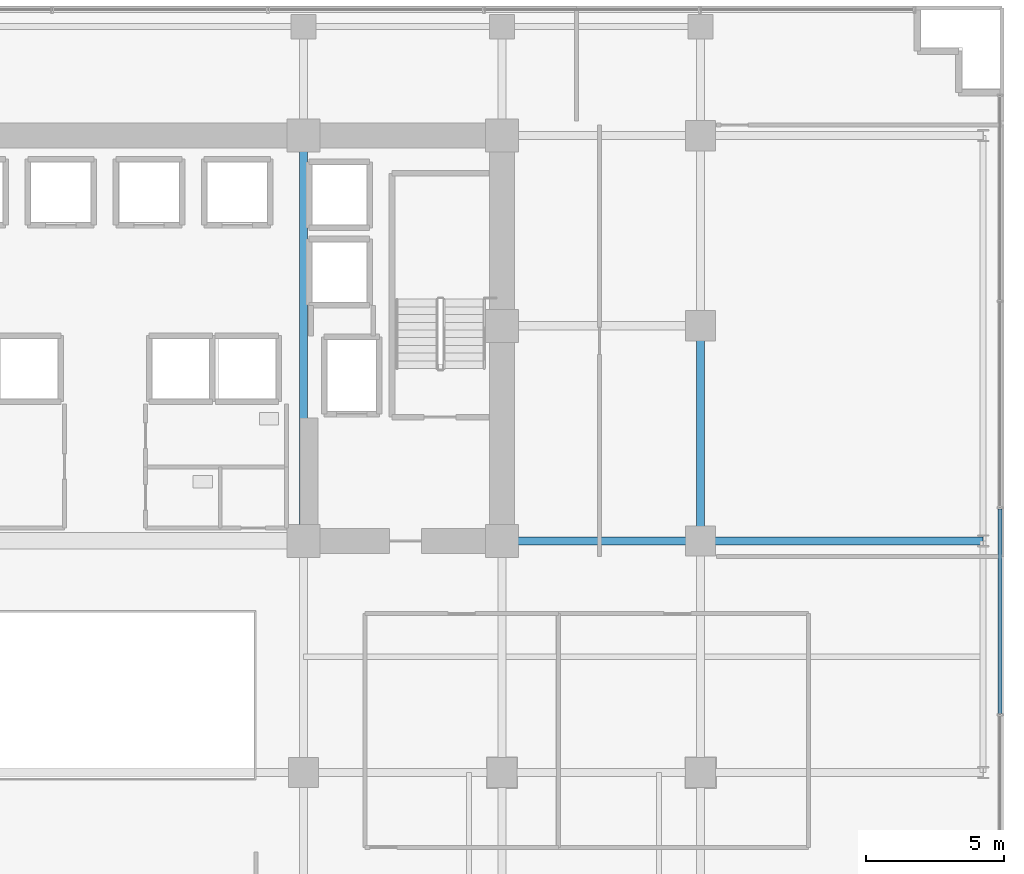
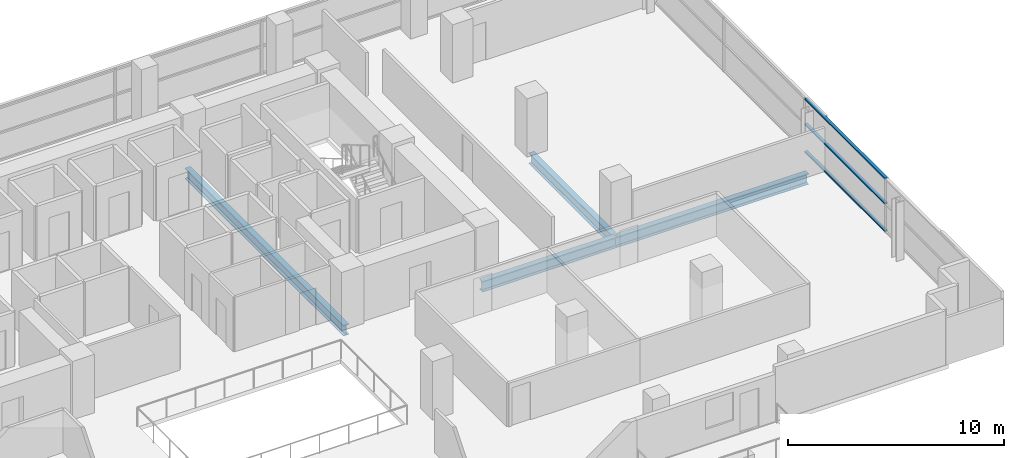
# One storey, part 14 of 31: 4 beams, 3 members, 1 element without a shape of its own.
"""IFC4 building model written with IfcOpenShell, lengths in metres."""

import ifcopenshell
import ifcopenshell.guid

model = None  # the IFC model being written
_history = None  # IfcOwnerHistory: only IFC2X3 demands one
_inside = {}  # id of a spatial element -> (the spatial element, [elements in it])
_under = {}  # id of a project, library or spatial element -> (it, [spatial elements below it])
_declared = {}  # id of a project -> (the project, [libraries it declares])
_typed = {}  # id of a type object -> (the type object, [elements of that type])
_made_of = {}  # id of a material, layer set ... -> (it, [elements and type objects made of it])


def new_model(schema):
    """Start an empty IFC model of exactly this schema.

    Asked for "IFC4X3", IfcOpenShell would pick the latest addendum, in which some entities
    have other attributes; the version numbers below select the first issue.
    IFC2X3 requires an IfcOwnerHistory on every rooted entity: one is made here for all.
    """
    global model, _history
    if schema == "IFC4X3":
        model = ifcopenshell.file(schema_version=(4, 3, 0, 0))
    else:
        model = ifcopenshell.file(schema=schema)
    _inside.clear()
    _under.clear()
    _declared.clear()
    _typed.clear()
    _made_of.clear()
    _history = None
    if model.schema == "IFC2X3":
        org = make("IfcOrganization", Name="unknown")
        user = make(
            "IfcPersonAndOrganization",
            ThePerson=make("IfcPerson", FamilyName="unknown"),
            TheOrganization=org,
        )
        app = make(
            "IfcApplication",
            ApplicationDeveloper=org,
            Version="unknown",
            ApplicationFullName="unknown",
            ApplicationIdentifier="unknown",
        )
        _history = make(
            "IfcOwnerHistory",
            OwningUser=user,
            OwningApplication=app,
            ChangeAction="ADDED",
            CreationDate=0,
        )
    return model


def make(cls, **values):
    """One entity of the class cls with the attributes given. An attribute that is None is left unset."""
    return model.create_entity(
        cls, **{name: value for name, value in values.items() if value is not None}
    )


def rooted(cls, **values):
    """An entity with a GlobalId (a new one), such as an element, a storey or a relation."""
    return make(cls, GlobalId=ifcopenshell.guid.new(), OwnerHistory=_history, **values)


def si_unit(unit_type, name, prefix=None):
    """IfcSIUnit, for example si_unit("LENGTHUNIT", "METRE", prefix="MILLI")."""
    return make("IfcSIUnit", UnitType=unit_type, Prefix=prefix, Name=name)


def assignment(units):
    """IfcUnitAssignment: the units of a project."""
    return None if units is None else make("IfcUnitAssignment", Units=units)


def point(xyz):
    """IfcCartesianPoint."""
    return None if xyz is None else make("IfcCartesianPoint", Coordinates=xyz)


def direction(xyz):
    """IfcDirection."""
    return None if xyz is None else make("IfcDirection", DirectionRatios=xyz)


def frame(location, z_axis=None, x_axis=None):
    """IfcAxis2Placement3D, a coordinate frame: its origin and axes. An axis left out is left unset."""
    return make(
        "IfcAxis2Placement3D",
        Location=point(location),
        Axis=direction(z_axis),
        RefDirection=direction(x_axis),
    )


def frame_2d(location, x_axis=None):
    """IfcAxis2Placement2D, a coordinate frame in the plane: its origin and x axis."""
    return make(
        "IfcAxis2Placement2D", Location=point(location), RefDirection=direction(x_axis)
    )


def origin():
    """The frame at (0, 0, 0) with its axes left unset."""
    return frame((0.0, 0.0, 0.0))


def origin_2d():
    """The frame at (0, 0) in the plane with its x axis left unset."""
    return frame_2d((0.0, 0.0))


def place(relative_to, where):
    """IfcLocalPlacement: puts the frame where relative to a parent placement (None: the world)."""
    return make(
        "IfcLocalPlacement", PlacementRelTo=relative_to, RelativePlacement=where
    )


def context(
    kind, dimensions, precision=None, world=None, true_north=None, identifier=None
):
    """IfcGeometricRepresentationContext, for example the 3D "Model" context."""
    return make(
        "IfcGeometricRepresentationContext",
        ContextIdentifier=identifier,
        ContextType=kind,
        CoordinateSpaceDimension=dimensions,
        Precision=precision,
        WorldCoordinateSystem=world,
        TrueNorth=true_north,
    )


def subcontext(parent, identifier, kind, view, scale=None):
    """IfcGeometricRepresentationSubContext, for example "Body" below "Model"."""
    return make(
        "IfcGeometricRepresentationSubContext",
        ContextIdentifier=identifier,
        ContextType=kind,
        ParentContext=parent,
        TargetScale=scale,
        TargetView=view,
    )


def project(units=None, contexts=None):
    """IfcProject with its units and contexts."""
    return rooted(
        "IfcProject",
        Name="project",
        RepresentationContexts=contexts,
        UnitsInContext=assignment(units),
    )


def spatial(cls, under=None, at=None, **own):
    """A site, building, storey or space (cls), placed at a placement, below another one or the project."""
    s = rooted(cls, ObjectPlacement=at, **own)
    if under is not None:
        _under.setdefault(under.id(), (under, []))[1].append(s)
    return s


def profile(cls, at=None, kind="AREA", **sizes):
    """A parametric profile (cls). Its sizes go by their IFC names, for example OverallWidth=200.0."""
    return make(cls, ProfileType=kind, Position=at, **sizes)


def hollow_rectangle(**sizes):
    """IfcRectangleHollowProfileDef."""
    return profile("IfcRectangleHollowProfileDef", **sizes)


def i_section(**sizes):
    """IfcIShapeProfileDef."""
    return profile("IfcIShapeProfileDef", **sizes)


def extrude(swept, where, along, depth):
    """IfcExtrudedAreaSolid: the profile swept, set in the frame where, extruded along a direction by depth."""
    return make(
        "IfcExtrudedAreaSolid",
        SweptArea=swept,
        Position=where,
        ExtrudedDirection=direction(along),
        Depth=depth,
    )


def shape(context_of_items, identifier, shape_type, items):
    """IfcShapeRepresentation: the items that make up one representation, for example the "Body"."""
    return make(
        "IfcShapeRepresentation",
        ContextOfItems=context_of_items,
        RepresentationIdentifier=identifier,
        RepresentationType=shape_type,
        Items=items,
    )


def source(mapping_origin, context_of_items, identifier, shape_type, items):
    """IfcRepresentationMap: a shape defined once, which mapped items show again and again."""
    return make(
        "IfcRepresentationMap",
        MappingOrigin=mapping_origin,
        MappedRepresentation=shape(context_of_items, identifier, shape_type, items),
    )


def transform(
    local_origin,
    x_axis=None,
    y_axis=None,
    z_axis=None,
    scale=None,
    scale2=None,
    scale3=None,
    uniform=True,
):
    """IfcCartesianTransformationOperator3D, or its non-uniform kind. x_axis, y_axis, z_axis: its Axis1, 2, 3."""
    if uniform:
        return make(
            "IfcCartesianTransformationOperator3D",
            Axis1=direction(x_axis),
            Axis2=direction(y_axis),
            LocalOrigin=point(local_origin),
            Scale=scale,
            Axis3=direction(z_axis),
        )
    return make(
        "IfcCartesianTransformationOperator3DnonUniform",
        Axis1=direction(x_axis),
        Axis2=direction(y_axis),
        LocalOrigin=point(local_origin),
        Scale=scale,
        Axis3=direction(z_axis),
        Scale2=scale2,
        Scale3=scale3,
    )


def mapped(mapping_source, mapping_target):
    """IfcMappedItem: shows the shape of a source again, moved by a transform."""
    return make(
        "IfcMappedItem", MappingSource=mapping_source, MappingTarget=mapping_target
    )


def material(Name=None, Category=None):
    """IfcMaterial."""
    return make("IfcMaterial", Name=Name, Category=Category)


def layer(
    of_material, thickness, ventilated=None, Name=None, Category=None, Priority=None
):
    """IfcMaterialLayer: one layer of a wall or slab, of a material (None: an air gap)."""
    return make(
        "IfcMaterialLayer",
        Material=of_material,
        LayerThickness=thickness,
        IsVentilated=ventilated,
        Name=Name,
        Category=Category,
        Priority=Priority,
    )


def layer_set(layers, Name=None):
    """IfcMaterialLayerSet."""
    return make("IfcMaterialLayerSet", MaterialLayers=layers, LayerSetName=Name)


def material_profile(
    of_material, cross_section, Name=None, Category=None, Priority=None
):
    """IfcMaterialProfile: a cross section and its material."""
    return make(
        "IfcMaterialProfile",
        Name=Name,
        Material=of_material,
        Profile=cross_section,
        Priority=Priority,
        Category=Category,
    )


def profile_set(profiles, Name=None, composite=None):
    """IfcMaterialProfileSet."""
    return make(
        "IfcMaterialProfileSet",
        Name=Name,
        MaterialProfiles=profiles,
        CompositeProfile=composite,
    )


def made_of(thing, what):
    """Note that an element or type object is made of a material, layer set ...; save() writes the relation."""
    if what is not None:
        _made_of.setdefault(what.id(), (what, []))[1].append(thing)
    return thing


def type_object(cls, material=None, **own):
    """A type object (cls), such as IfcWallType, which elements share."""
    return made_of(rooted(cls, **own), material)


def element(
    cls,
    number,
    at=None,
    inside=None,
    cuts=None,
    type_object=None,
    material=None,
    context=None,
    identifier="Body",
    shape_type=None,
    held_by="IfcProductDefinitionShape",
    body=None,
    shapes=None,
    **own,
):
    """One element of the class cls, such as IfcWall. Its Tag is "e" and its number.

    at: its placement. inside: the storey or other place that contains it. cuts: it is an
    opening in that element (IfcRelVoidsElement). A single representation is given by context,
    identifier, shape_type and body (its items); several are given by shapes. held_by: the class
    of the entity that holds the representations. save() writes the other relations.
    """
    e = rooted(cls, Tag="e%d" % number, ObjectPlacement=at, **own)
    if body is not None:
        shapes = [shape(context, identifier, shape_type, body)]
    if shapes is not None:
        e.Representation = make(held_by, Representations=shapes)
    if inside is not None:
        _inside.setdefault(inside.id(), (inside, []))[1].append(e)
    if cuts is not None:
        rooted(
            "IfcRelVoidsElement", RelatingBuildingElement=cuts, RelatedOpeningElement=e
        )
    if type_object is not None:
        _typed.setdefault(type_object.id(), (type_object, []))[1].append(e)
    return made_of(e, material)


def aggregate(whole, parts):
    """IfcRelAggregates: a whole, such as a stair, and the parts it consists of."""
    return rooted("IfcRelAggregates", RelatingObject=whole, RelatedObjects=parts)


def save(model, path):
    """Write the relations noted so far, then the file.

    IfcRelAggregates (storeys below a building ...), IfcRelContainedInSpatialStructure (elements
    in a storey), IfcRelDefinesByType, IfcRelAssociatesMaterial and IfcRelDeclares: one each for
    every whole, place, type object, material and project.
    """
    for whole, parts in _under.values():
        aggregate(whole, parts)
    for where, things in _inside.values():
        rooted(
            "IfcRelContainedInSpatialStructure",
            RelatedElements=things,
            RelatingStructure=where,
        )
    for kind, things in _typed.values():
        rooted("IfcRelDefinesByType", RelatedObjects=things, RelatingType=kind)
    for what, things in _made_of.values():
        rooted("IfcRelAssociatesMaterial", RelatedObjects=things, RelatingMaterial=what)
    for by, libraries in _declared.values():
        rooted("IfcRelDeclares", RelatingContext=by, RelatedDefinitions=libraries)
    model.write(path)


model = new_model("IFC4")

# Units and contexts
model_context = context("Model", 3, precision=1e-05, world=origin(), true_north=direction((0.0, 1.0)))
body_context = subcontext(model_context, "Body", "Model", "MODEL_VIEW")
ifc_project = project(units=[si_unit("LENGTHUNIT", "METRE"), si_unit("AREAUNIT", "SQUARE_METRE"), si_unit("VOLUMEUNIT", "CUBIC_METRE"), si_unit("PLANEANGLEUNIT", "RADIAN"), si_unit("MASSUNIT", "GRAM", prefix="KILO")], contexts=[model_context])

# Site, building, storey
site_placement = place(None, origin())
site = spatial("IfcSite", under=ifc_project, at=site_placement, CompositionType="ELEMENT")
building_placement = place(site_placement, origin())
building = spatial("IfcBuilding", under=site, at=building_placement, Name="Zarnakvel Exchange Tower", CompositionType="ELEMENT")
storey_placement = place(building_placement, frame((0.0, 0.0, 60.39990234375)))
storey = spatial("IfcBuildingStorey", under=building, at=storey_placement, Name="L16", CompositionType="ELEMENT", Elevation=60.39990234375)

# Beams
ifc_material_1 = material(Name="Steel S355", Category="steel")
ifc_material_profile_1 = material_profile(ifc_material_1, i_section(OverallWidth=0.300048828125, OverallDepth=0.60009765625, WebThickness=0.015380859375, FlangeThickness=0.030029296875, FilletRadius=0.027099609375, at=origin_2d()))
ifc_profile_set_1 = profile_set([ifc_material_profile_1], Name="Steel S355")
beam_type = type_object("IfcBeamType", Name="G-04", PredefinedType="BEAM", material=ifc_profile_set_1)
beam_1_placement = place(storey_placement, frame((14.39990234375, -1.199951171875, -0.52490234375), z_axis=(1.0, 0.0, 0.0), x_axis=(0.0, 1.0, 0.0)))
element("IfcBeam", 1, at=beam_1_placement, inside=storey, type_object=beam_type, Name="L16 Tower E-W Frame Beam", PredefinedType="BEAM", context=body_context, shape_type="SweptSolid", body=[
    extrude(i_section(OverallWidth=0.300048828125, OverallDepth=0.60009765625, WebThickness=0.015380859375, FlangeThickness=0.030029296875, FilletRadius=0.027099609375, at=origin_2d()), origin(), (0.0, 0.0, 1.0), 7.2001953125),
])
beam_2_placement = place(storey_placement, frame((21.60009765625, -1.199951171875, -0.52490234375), z_axis=(1.0, 0.0, 0.0), x_axis=(0.0, 1.0, 0.0)))
element("IfcBeam", 2, at=beam_2_placement, inside=storey, type_object=beam_type, Name="L16 Tower E-W Frame Beam", PredefinedType="BEAM", context=body_context, shape_type="SweptSolid", body=[
    extrude(i_section(OverallWidth=0.300048828125, OverallDepth=0.60009765625, WebThickness=0.015380859375, FlangeThickness=0.030029296875, FilletRadius=0.027099609375, at=origin_2d()), origin(), (0.0, 0.0, 1.0), 10.25),
])
beam_3_placement = place(storey_placement, frame((7.199951171875, -1.199951171875, -0.52490234375), z_axis=(0.0, 1.0, 0.0), x_axis=(-1.0, 0.0, 0.0)))
element("IfcBeam", 3, at=beam_3_placement, inside=storey, type_object=beam_type, Name="L16 Tower N-S Frame Beam", PredefinedType="BEAM", context=body_context, shape_type="SweptSolid", body=[
    extrude(i_section(OverallWidth=0.300048828125, OverallDepth=0.60009765625, WebThickness=0.015380859375, FlangeThickness=0.030029296875, FilletRadius=0.027099609375, at=origin_2d()), origin(), (0.0, 0.0, 1.0), 14.699951171875),
])
beam_4_placement = place(storey_placement, frame((21.60009765625, -1.199951171875, -0.52490234375), z_axis=(0.0, 1.0, 0.0), x_axis=(-1.0, 0.0, 0.0)))
element("IfcBeam", 4, at=beam_4_placement, inside=storey, type_object=beam_type, Name="L16 Tower N-S Frame Beam", PredefinedType="BEAM", context=body_context, shape_type="SweptSolid", body=[
    extrude(i_section(OverallWidth=0.300048828125, OverallDepth=0.60009765625, WebThickness=0.015380859375, FlangeThickness=0.030029296875, FilletRadius=0.027099609375, at=origin_2d()), origin(), (0.0, 0.0, 1.0), 7.800048828125),
])

# Curtain wall, members
ifc_material_2 = material(Name="Architectural Bronze Anodised Aluminium", Category="aluminium")
ifc_layer = layer(ifc_material_2, 0.199951171875)
ifc_layer_set = layer_set([ifc_layer], Name="Architectural Bronze Anodised Aluminium")
curtain_wall_type = type_object("IfcCurtainWallType", Name="CW-04", PredefinedType="NOTDEFINED", material=ifc_layer_set)
curtain_wall_placement = place(storey_placement, origin())
curtain_wall = element("IfcCurtainWall", 5, at=curtain_wall_placement, inside=storey, type_object=curtain_wall_type, Name="L16 Curtain Wall CW-L16-E1 (CW-04)", PredefinedType="NOTDEFINED")
ifc_material_profile_2 = material_profile(ifc_material_2, hollow_rectangle(XDim=0.159912109375, YDim=0.074951171875, WallThickness=0.00390625, at=origin_2d()))
ifc_profile_set_2 = profile_set([ifc_material_profile_2], Name="Architectural Bronze Anodised Aluminium")
member_type = type_object("IfcMemberType", Name="CWT-04", PredefinedType="USERDEFINED", material=ifc_profile_set_2)
shared_shape = source(origin(), body_context, "Body", "SweptSolid", [
    extrude(hollow_rectangle(XDim=0.159912109375, YDim=0.074951171875, WallThickness=0.00390625, at=origin_2d()), origin(), (0.0, 0.0, 1.0), 7.4248046875),
])
member_1_placement = place(storey_placement, frame((32.4599609375, -7.46240234375, 0.03759765625), z_axis=(0.0, 1.0, 0.0), x_axis=(-1.0, 0.0, 0.0)))
member_1 = element("IfcMember", 6, at=member_1_placement, type_object=member_type, Name="CW-04 transom 2.1", ObjectType="TRANSOM", PredefinedType="USERDEFINED", context=body_context, shape_type="MappedRepresentation", body=[
    mapped(shared_shape, transform((0.0, 0.0, 0.0), x_axis=(1.0, 0.0, 0.0), y_axis=(0.0, 1.0, 0.0), z_axis=(0.0, 0.0, 1.0), scale=1.0)),
])
member_2_placement = place(storey_placement, frame((32.4599609375, -7.46240234375, 1.588623046875), z_axis=(0.0, 1.0, 0.0), x_axis=(-1.0, 0.0, 0.0)))
member_2 = element("IfcMember", 7, at=member_2_placement, type_object=member_type, Name="CW-04 transom 2.2", ObjectType="TRANSOM", PredefinedType="USERDEFINED", context=body_context, shape_type="MappedRepresentation", body=[
    mapped(shared_shape, transform((0.0, 0.0, 0.0), x_axis=(1.0, 0.0, 0.0), y_axis=(0.0, 1.0, 0.0), z_axis=(0.0, 0.0, 1.0), scale=1.0)),
])
member_3_placement = place(storey_placement, frame((32.4599609375, -7.46240234375, 3.017578125), z_axis=(0.0, 1.0, 0.0), x_axis=(-1.0, 0.0, 0.0)))
member_3 = element("IfcMember", 8, at=member_3_placement, type_object=member_type, Name="CW-04 transom 2.3", ObjectType="TRANSOM", PredefinedType="USERDEFINED", context=body_context, shape_type="MappedRepresentation", body=[
    mapped(shared_shape, transform((0.0, 0.0, 0.0), x_axis=(1.0, 0.0, 0.0), y_axis=(0.0, 1.0, 0.0), z_axis=(0.0, 0.0, 1.0), scale=1.0)),
])
aggregate(curtain_wall, [member_1, member_2, member_3])

save(model, "model.ifc")
